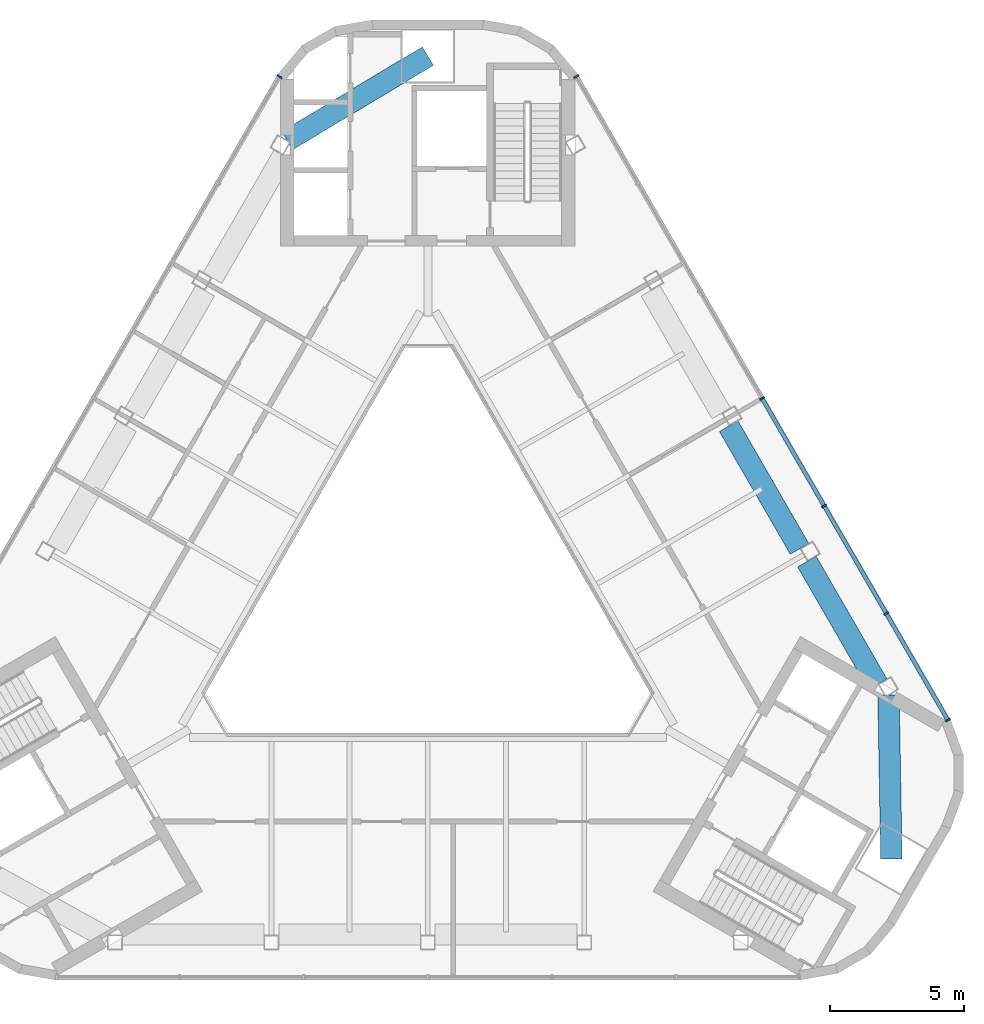
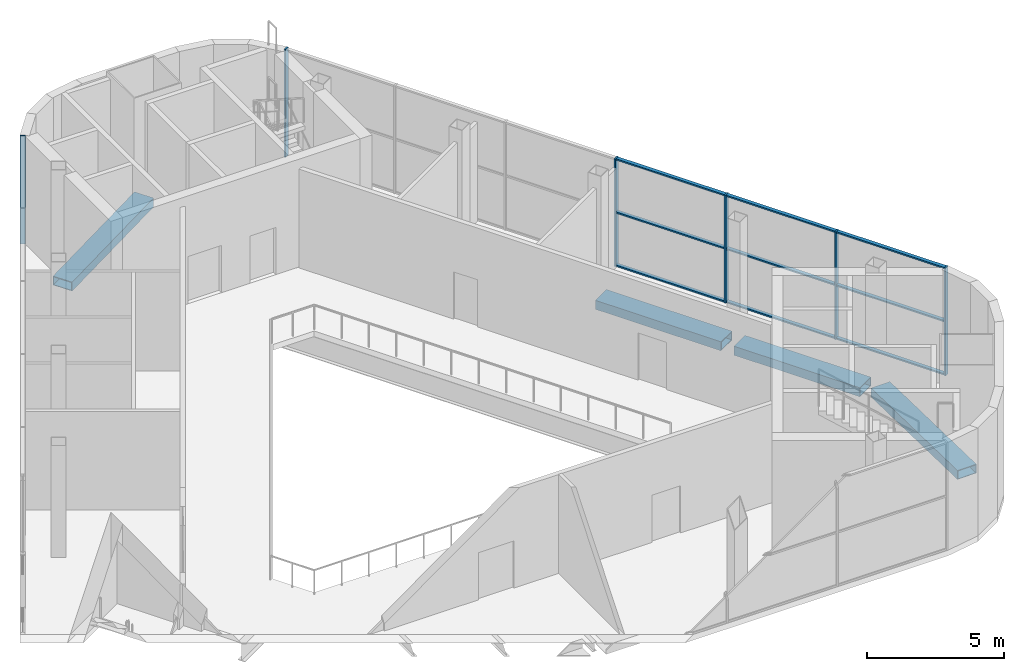
# One storey, part 4 of 11: 15 members, 4 beams, 2 elements without a shape of their own.
"""IFC4 building model written with IfcOpenShell, lengths in metres."""

from ifc_helpers import new_model, si_unit, direction, frame, origin, origin_2d, place, context, subcontext, project, spatial, rectangle, hollow_rectangle, extrude, material, layer, layer_set, material_profile, profile_set, type_object, element, aggregate, save


model = new_model("IFC4")

# Units and contexts
model_context = context("Model", 3, precision=1e-05, world=origin(), true_north=direction((0.0, 1.0)))
body_context = subcontext(model_context, "Body", "Model", "MODEL_VIEW")
ifc_project = project(units=[si_unit("LENGTHUNIT", "METRE"), si_unit("AREAUNIT", "SQUARE_METRE"), si_unit("VOLUMEUNIT", "CUBIC_METRE"), si_unit("PLANEANGLEUNIT", "RADIAN"), si_unit("MASSUNIT", "GRAM", prefix="KILO")], contexts=[model_context])

# Site, building, storey
site_placement = place(None, origin())
site = spatial("IfcSite", under=ifc_project, at=site_placement, CompositionType="ELEMENT")
building_placement = place(site_placement, origin())
building = spatial("IfcBuilding", under=site, at=building_placement, Name="Apuvela Tower Hotel", CompositionType="ELEMENT")
storey_placement = place(building_placement, frame((0.0, 0.0, 338.300048828125)))
storey = spatial("IfcBuildingStorey", under=building, at=storey_placement, Name="L84", CompositionType="ELEMENT", Elevation=338.300048828125)

# Curtain wall, members
ifc_material_1 = material(Name="Aluminium 6063-T6, dark bronze anodised", Category="aluminium")
ifc_layer = layer(ifc_material_1, 0.199951171875)
ifc_layer_set = layer_set([ifc_layer], Name="ENV-CW-L")
curtain_wall_type = type_object("IfcCurtainWallType", Name="ENV-CW-L", PredefinedType="NOTDEFINED", material=ifc_layer_set)
curtain_wall_1_placement = place(storey_placement, origin())
curtain_wall_1 = element("IfcCurtainWall", 1, at=curtain_wall_1_placement, inside=storey, type_object=curtain_wall_type, Name="Curtain wall CW-L NE L84", PredefinedType="NOTDEFINED")
ifc_material_profile_1 = material_profile(ifc_material_1, rectangle(XDim=0.199951171875, YDim=0.06494140625, at=origin_2d()), Name="AL 65x200")
ifc_profile_set_1 = profile_set([ifc_material_profile_1], Name="Aluminium 6063-T6, dark bronze anodised")
member_type_1 = type_object("IfcMemberType", Name="ENV-MULLION-65x200", PredefinedType="MULLION", material=ifc_profile_set_1)
member_1_placement = place(storey_placement, frame((19.43896484375, -4.817138671875, 0.0), z_axis=(0.0, 0.0, 1.0), x_axis=(-0.866025800323, -0.499999313174, 0.0)))
member_1 = element("IfcMember", 2, at=member_1_placement, type_object=member_type_1, Name="CW-L mullion 1", PredefinedType="MULLION", context=body_context, shape_type="SweptSolid", body=[
    extrude(rectangle(XDim=0.199951171875, YDim=0.06494140625, at=origin_2d()), origin(), (0.0, 0.0, 1.0), 4.800048828125),
])
member_2_placement = place(storey_placement, frame((17.134765625, -0.82568359375, 0.0), z_axis=(0.0, 0.0, 1.0), x_axis=(-0.866025800323, -0.499999313174, 0.0)))
member_2 = element("IfcMember", 3, at=member_2_placement, type_object=member_type_1, Name="CW-L mullion 2", PredefinedType="MULLION", context=body_context, shape_type="SweptSolid", body=[
    extrude(rectangle(XDim=0.199951171875, YDim=0.06494140625, at=origin_2d()), origin(), (0.0, 0.0, 1.0), 4.800048828125),
])
member_3_placement = place(storey_placement, frame((14.81396484375, 3.193603515625, 0.0), z_axis=(0.0, 0.0, 1.0), x_axis=(-0.866025800323, -0.499999313174, 0.0)))
member_3 = element("IfcMember", 4, at=member_3_placement, type_object=member_type_1, Name="CW-L mullion 3", PredefinedType="MULLION", context=body_context, shape_type="SweptSolid", body=[
    extrude(rectangle(XDim=0.199951171875, YDim=0.06494140625, at=origin_2d()), origin(), (0.0, 0.0, 1.0), 4.800048828125),
])
member_4_placement = place(storey_placement, frame((12.493408203125, 7.213134765625, 0.0), z_axis=(0.0, 0.0, 1.0), x_axis=(-0.866025800323, -0.499999313174, 0.0)))
member_4 = element("IfcMember", 5, at=member_4_placement, type_object=member_type_1, Name="CW-L mullion 4", PredefinedType="MULLION", context=body_context, shape_type="SweptSolid", body=[
    extrude(rectangle(XDim=0.199951171875, YDim=0.06494140625, at=origin_2d()), origin(), (0.0, 0.0, 1.0), 4.800048828125),
])
member_5_placement = place(storey_placement, frame((5.5478515625, 19.2431640625, 0.0), z_axis=(0.0, 0.0, 1.0), x_axis=(-0.866025800323, -0.499999313174, 0.0)))
member_5 = element("IfcMember", 6, at=member_5_placement, type_object=member_type_1, Name="CW-L mullion 7", PredefinedType="MULLION", context=body_context, shape_type="SweptSolid", body=[
    extrude(rectangle(XDim=0.199951171875, YDim=0.06494140625, at=origin_2d()), origin(), (0.0, 0.0, 1.0), 4.800048828125),
])

# Curtain wall, member
curtain_wall_2_placement = place(storey_placement, origin())
curtain_wall_2 = element("IfcCurtainWall", 7, at=curtain_wall_2_placement, inside=storey, type_object=curtain_wall_type, Name="Curtain wall CW-L NW L84", PredefinedType="NOTDEFINED")
member_6_placement = place(storey_placement, frame((-5.5478515625, 19.2431640625, 0.0), z_axis=(0.0, 0.0, 1.0), x_axis=(0.866025800323, -0.499999313174, 0.0)))
member_6 = element("IfcMember", 8, at=member_6_placement, type_object=member_type_1, Name="CW-L mullion 1", PredefinedType="MULLION", context=body_context, shape_type="SweptSolid", body=[
    extrude(rectangle(XDim=0.199951171875, YDim=0.06494140625, at=origin_2d()), origin(), (0.0, 0.0, 1.0), 4.800048828125),
])
aggregate(curtain_wall_2, [member_6])

# Member
ifc_material_profile_2 = material_profile(ifc_material_1, rectangle(XDim=0.14990234375, YDim=0.06494140625, at=origin_2d()), Name="AL 65x150 transom")
ifc_profile_set_2 = profile_set([ifc_material_profile_2], Name="Aluminium 6063-T6, dark bronze anodised")
member_type_2 = type_object("IfcMemberType", Name="ENV-TRANSOM-65x150", PredefinedType="USERDEFINED", material=ifc_profile_set_2)
member_7_placement = place(storey_placement, frame((19.4228515625, -4.788818359375, 0.032470703125), z_axis=(-0.500034081218, 0.86600572609, 0.0), x_axis=(-0.86600572609, -0.500034081218, 0.0)))
member_7 = element("IfcMember", 9, at=member_7_placement, type_object=member_type_2, Name="CW-L transom 1.1", ObjectType="TRANSOM", PredefinedType="USERDEFINED", context=body_context, shape_type="SweptSolid", body=[
    extrude(rectangle(XDim=0.14990234375, YDim=0.06494140625, at=origin_2d()), origin(), (0.0, 0.0, 1.0), 4.543701171875),
])

member_8_placement = place(storey_placement, frame((19.4228515625, -4.788818359375, 2.39990234375), z_axis=(-0.500034081218, 0.86600572609, 0.0), x_axis=(-0.86600572609, -0.500034081218, 0.0)))
member_8 = element("IfcMember", 10, at=member_8_placement, type_object=member_type_2, Name="CW-L transom 1.2", ObjectType="TRANSOM", PredefinedType="USERDEFINED", context=body_context, shape_type="SweptSolid", body=[
    extrude(rectangle(XDim=0.14990234375, YDim=0.06494140625, at=origin_2d()), origin(), (0.0, 0.0, 1.0), 4.543701171875),
])

member_9_placement = place(storey_placement, frame((19.4228515625, -4.788818359375, 4.767333984375), z_axis=(-0.500034081218, 0.86600572609, 0.0), x_axis=(-0.86600572609, -0.500034081218, 0.0)))
member_9 = element("IfcMember", 11, at=member_9_placement, type_object=member_type_2, Name="CW-L transom 1.3", ObjectType="TRANSOM", PredefinedType="USERDEFINED", context=body_context, shape_type="SweptSolid", body=[
    extrude(rectangle(XDim=0.14990234375, YDim=0.06494140625, at=origin_2d()), origin(), (0.0, 0.0, 1.0), 4.543701171875),
])

member_10_placement = place(storey_placement, frame((17.118408203125, -0.797607421875, 0.032470703125), z_axis=(-0.499994921628, 0.866028335764, 0.0), x_axis=(-0.866028335764, -0.499994921628, 0.0)))
member_10 = element("IfcMember", 12, at=member_10_placement, type_object=member_type_2, Name="CW-L transom 2.1", ObjectType="TRANSOM", PredefinedType="USERDEFINED", context=body_context, shape_type="SweptSolid", body=[
    extrude(rectangle(XDim=0.14990234375, YDim=0.06494140625, at=origin_2d()), origin(), (0.0, 0.0, 1.0), 4.576171875),
])

member_11_placement = place(storey_placement, frame((17.118408203125, -0.797607421875, 2.39990234375), z_axis=(-0.499994921628, 0.866028335764, 0.0), x_axis=(-0.866028335764, -0.499994921628, 0.0)))
member_11 = element("IfcMember", 13, at=member_11_placement, type_object=member_type_2, Name="CW-L transom 2.2", ObjectType="TRANSOM", PredefinedType="USERDEFINED", context=body_context, shape_type="SweptSolid", body=[
    extrude(rectangle(XDim=0.14990234375, YDim=0.06494140625, at=origin_2d()), origin(), (0.0, 0.0, 1.0), 4.576171875),
])

member_12_placement = place(storey_placement, frame((17.118408203125, -0.797607421875, 4.767333984375), z_axis=(-0.499994921628, 0.866028335764, 0.0), x_axis=(-0.866028335764, -0.499994921628, 0.0)))
member_12 = element("IfcMember", 14, at=member_12_placement, type_object=member_type_2, Name="CW-L transom 2.3", ObjectType="TRANSOM", PredefinedType="USERDEFINED", context=body_context, shape_type="SweptSolid", body=[
    extrude(rectangle(XDim=0.14990234375, YDim=0.06494140625, at=origin_2d()), origin(), (0.0, 0.0, 1.0), 4.576171875),
])

member_13_placement = place(storey_placement, frame((14.7978515625, 3.221923828125, 0.032470703125), z_axis=(-0.499994921628, 0.866028335764, 0.0), x_axis=(-0.866028335764, -0.499994921628, 0.0)))
member_13 = element("IfcMember", 15, at=member_13_placement, type_object=member_type_2, Name="CW-L transom 3.1", ObjectType="TRANSOM", PredefinedType="USERDEFINED", context=body_context, shape_type="SweptSolid", body=[
    extrude(rectangle(XDim=0.14990234375, YDim=0.06494140625, at=origin_2d()), origin(), (0.0, 0.0, 1.0), 4.576171875),
])

member_14_placement = place(storey_placement, frame((14.7978515625, 3.221923828125, 2.39990234375), z_axis=(-0.499994921628, 0.866028335764, 0.0), x_axis=(-0.866028335764, -0.499994921628, 0.0)))
member_14 = element("IfcMember", 16, at=member_14_placement, type_object=member_type_2, Name="CW-L transom 3.2", ObjectType="TRANSOM", PredefinedType="USERDEFINED", context=body_context, shape_type="SweptSolid", body=[
    extrude(rectangle(XDim=0.14990234375, YDim=0.06494140625, at=origin_2d()), origin(), (0.0, 0.0, 1.0), 4.576171875),
])

member_15_placement = place(storey_placement, frame((14.7978515625, 3.221923828125, 4.767333984375), z_axis=(-0.499994921628, 0.866028335764, 0.0), x_axis=(-0.866028335764, -0.499994921628, 0.0)))
member_15 = element("IfcMember", 17, at=member_15_placement, type_object=member_type_2, Name="CW-L transom 3.3", ObjectType="TRANSOM", PredefinedType="USERDEFINED", context=body_context, shape_type="SweptSolid", body=[
    extrude(rectangle(XDim=0.14990234375, YDim=0.06494140625, at=origin_2d()), origin(), (0.0, 0.0, 1.0), 4.576171875),
])

aggregate(curtain_wall_1, [member_1, member_2, member_3, member_4, member_5, member_7, member_8, member_9, member_10, member_11, member_12, member_13, member_14, member_15])

# Beams
ifc_material_2 = material(Name="Steel S460", Category="steel")
ifc_material_profile_3 = material_profile(ifc_material_2, hollow_rectangle(XDim=0.800048828125, YDim=0.39990234375, WallThickness=0.02490234375, at=origin_2d()), Name="BOX 800x400x25")
ifc_profile_set_3 = profile_set([ifc_material_profile_3], Name="Steel S460")
beam_type = type_object("IfcBeamType", Name="STR-RB perimeter ring beam BOX 800x400x25", PredefinedType="SPANDREL", material=ifc_profile_set_3)
beam_1_placement = place(storey_placement, frame((16.81640625, -3.474365234375, -0.449951171875), z_axis=(-0.500011080206, 0.86601900653, 0.0), x_axis=(-0.86601900653, -0.500011080206, 0.0)))
element("IfcBeam", 18, at=beam_1_placement, inside=storey, type_object=beam_type, Name="Ring beam RB1 NE1", PredefinedType="SPANDREL", context=body_context, shape_type="SweptSolid", body=[
    extrude(hollow_rectangle(XDim=0.800048828125, YDim=0.39990234375, WallThickness=0.02490234375, at=origin_2d()), origin(), (0.0, 0.0, 1.0), 5.29638671875),
])
beam_2_placement = place(storey_placement, frame((13.893310546875, 1.58837890625, -0.449951171875), z_axis=(-0.499996467947, 0.866027443007, 0.0), x_axis=(-0.866027443007, -0.499996467947, 0.0)))
element("IfcBeam", 19, at=beam_2_placement, inside=storey, type_object=beam_type, Name="Ring beam RB1 NE2", PredefinedType="SPANDREL", context=body_context, shape_type="SweptSolid", body=[
    extrude(hollow_rectangle(XDim=0.800048828125, YDim=0.39990234375, WallThickness=0.02490234375, at=origin_2d()), origin(), (0.0, 0.0, 1.0), 5.2958984375),
])
for number, where, z_axis, x_axis, name in (
    (20, (17.218994140625, -3.876708984375, -0.449951171875), (0.017491545307, -0.999847011219, 0.0), (0.999847011219, 0.017491545307, 0.0), "Ring beam RB1 NE1-SE"),
    (21, (-5.252197265625, 16.8505859375, -0.449951171875), (0.85717283274, 0.51502886794, 0.0), (-0.51502886794, 0.85717283274, 0.0), "Ring beam RB1 NW1-N"),
):
    element("IfcBeam", number, at=place(storey_placement, frame(where, z_axis=z_axis, x_axis=x_axis)), inside=storey, type_object=beam_type, Name=name, PredefinedType="SPANDREL", context=body_context, shape_type="SweptSolid", body=[
        extrude(hollow_rectangle(XDim=0.800048828125, YDim=0.39990234375, WallThickness=0.02490234375, at=origin_2d()), origin(), (0.0, 0.0, 1.0), 6.12744140625),
    ])

save(model, "model.ifc")
